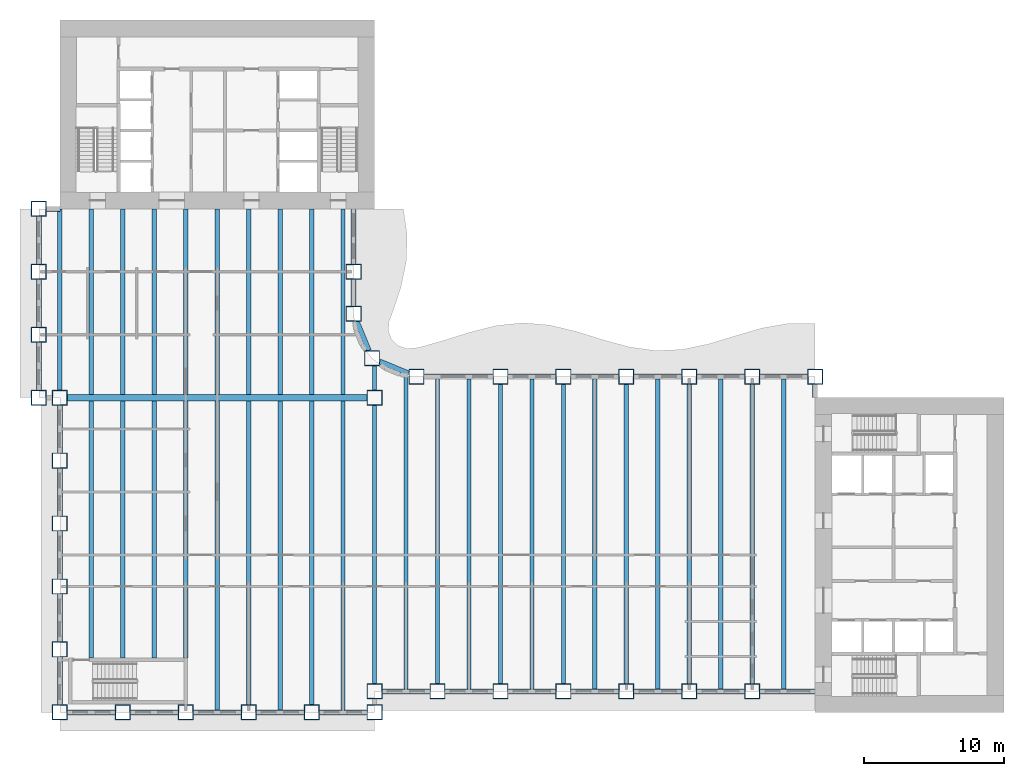
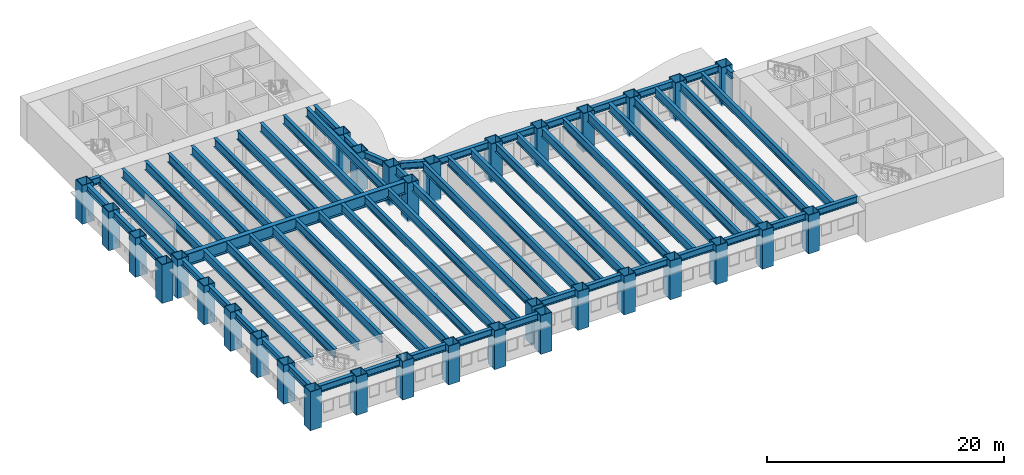
# One storey, part 1 of 15: 67 beams, 33 columns.
"""IFC4 building model written with IfcOpenShell, lengths in metres."""

import ifcopenshell
import ifcopenshell.guid

model = None  # the IFC model being written
_history = None  # IfcOwnerHistory: only IFC2X3 demands one
_inside = {}  # id of a spatial element -> (the spatial element, [elements in it])
_under = {}  # id of a project, library or spatial element -> (it, [spatial elements below it])
_declared = {}  # id of a project -> (the project, [libraries it declares])
_typed = {}  # id of a type object -> (the type object, [elements of that type])
_made_of = {}  # id of a material, layer set ... -> (it, [elements and type objects made of it])


def new_model(schema):
    """Start an empty IFC model of exactly this schema.

    Asked for "IFC4X3", IfcOpenShell would pick the latest addendum, in which some entities
    have other attributes; the version numbers below select the first issue.
    IFC2X3 requires an IfcOwnerHistory on every rooted entity: one is made here for all.
    """
    global model, _history
    if schema == "IFC4X3":
        model = ifcopenshell.file(schema_version=(4, 3, 0, 0))
    else:
        model = ifcopenshell.file(schema=schema)
    _inside.clear()
    _under.clear()
    _declared.clear()
    _typed.clear()
    _made_of.clear()
    _history = None
    if model.schema == "IFC2X3":
        org = make("IfcOrganization", Name="unknown")
        user = make(
            "IfcPersonAndOrganization",
            ThePerson=make("IfcPerson", FamilyName="unknown"),
            TheOrganization=org,
        )
        app = make(
            "IfcApplication",
            ApplicationDeveloper=org,
            Version="unknown",
            ApplicationFullName="unknown",
            ApplicationIdentifier="unknown",
        )
        _history = make(
            "IfcOwnerHistory",
            OwningUser=user,
            OwningApplication=app,
            ChangeAction="ADDED",
            CreationDate=0,
        )
    return model


def make(cls, **values):
    """One entity of the class cls with the attributes given. An attribute that is None is left unset."""
    return model.create_entity(
        cls, **{name: value for name, value in values.items() if value is not None}
    )


def rooted(cls, **values):
    """An entity with a GlobalId (a new one), such as an element, a storey or a relation."""
    return make(cls, GlobalId=ifcopenshell.guid.new(), OwnerHistory=_history, **values)


def si_unit(unit_type, name, prefix=None):
    """IfcSIUnit, for example si_unit("LENGTHUNIT", "METRE", prefix="MILLI")."""
    return make("IfcSIUnit", UnitType=unit_type, Prefix=prefix, Name=name)


def assignment(units):
    """IfcUnitAssignment: the units of a project."""
    return None if units is None else make("IfcUnitAssignment", Units=units)


def point(xyz):
    """IfcCartesianPoint."""
    return None if xyz is None else make("IfcCartesianPoint", Coordinates=xyz)


def direction(xyz):
    """IfcDirection."""
    return None if xyz is None else make("IfcDirection", DirectionRatios=xyz)


def frame(location, z_axis=None, x_axis=None):
    """IfcAxis2Placement3D, a coordinate frame: its origin and axes. An axis left out is left unset."""
    return make(
        "IfcAxis2Placement3D",
        Location=point(location),
        Axis=direction(z_axis),
        RefDirection=direction(x_axis),
    )


def frame_2d(location, x_axis=None):
    """IfcAxis2Placement2D, a coordinate frame in the plane: its origin and x axis."""
    return make(
        "IfcAxis2Placement2D", Location=point(location), RefDirection=direction(x_axis)
    )


def origin():
    """The frame at (0, 0, 0) with its axes left unset."""
    return frame((0.0, 0.0, 0.0))


def origin_2d():
    """The frame at (0, 0) in the plane with its x axis left unset."""
    return frame_2d((0.0, 0.0))


def place(relative_to, where):
    """IfcLocalPlacement: puts the frame where relative to a parent placement (None: the world)."""
    return make(
        "IfcLocalPlacement", PlacementRelTo=relative_to, RelativePlacement=where
    )


def context(
    kind, dimensions, precision=None, world=None, true_north=None, identifier=None
):
    """IfcGeometricRepresentationContext, for example the 3D "Model" context."""
    return make(
        "IfcGeometricRepresentationContext",
        ContextIdentifier=identifier,
        ContextType=kind,
        CoordinateSpaceDimension=dimensions,
        Precision=precision,
        WorldCoordinateSystem=world,
        TrueNorth=true_north,
    )


def subcontext(parent, identifier, kind, view, scale=None):
    """IfcGeometricRepresentationSubContext, for example "Body" below "Model"."""
    return make(
        "IfcGeometricRepresentationSubContext",
        ContextIdentifier=identifier,
        ContextType=kind,
        ParentContext=parent,
        TargetScale=scale,
        TargetView=view,
    )


def project(units=None, contexts=None):
    """IfcProject with its units and contexts."""
    return rooted(
        "IfcProject",
        Name="project",
        RepresentationContexts=contexts,
        UnitsInContext=assignment(units),
    )


def spatial(cls, under=None, at=None, **own):
    """A site, building, storey or space (cls), placed at a placement, below another one or the project."""
    s = rooted(cls, ObjectPlacement=at, **own)
    if under is not None:
        _under.setdefault(under.id(), (under, []))[1].append(s)
    return s


def profile(cls, at=None, kind="AREA", **sizes):
    """A parametric profile (cls). Its sizes go by their IFC names, for example OverallWidth=200.0."""
    return make(cls, ProfileType=kind, Position=at, **sizes)


def hollow_rectangle(**sizes):
    """IfcRectangleHollowProfileDef."""
    return profile("IfcRectangleHollowProfileDef", **sizes)


def i_section(**sizes):
    """IfcIShapeProfileDef."""
    return profile("IfcIShapeProfileDef", **sizes)


def extrude(swept, where, along, depth):
    """IfcExtrudedAreaSolid: the profile swept, set in the frame where, extruded along a direction by depth."""
    return make(
        "IfcExtrudedAreaSolid",
        SweptArea=swept,
        Position=where,
        ExtrudedDirection=direction(along),
        Depth=depth,
    )


def shape(context_of_items, identifier, shape_type, items):
    """IfcShapeRepresentation: the items that make up one representation, for example the "Body"."""
    return make(
        "IfcShapeRepresentation",
        ContextOfItems=context_of_items,
        RepresentationIdentifier=identifier,
        RepresentationType=shape_type,
        Items=items,
    )


def material(Name=None, Category=None):
    """IfcMaterial."""
    return make("IfcMaterial", Name=Name, Category=Category)


def material_profile(
    of_material, cross_section, Name=None, Category=None, Priority=None
):
    """IfcMaterialProfile: a cross section and its material."""
    return make(
        "IfcMaterialProfile",
        Name=Name,
        Material=of_material,
        Profile=cross_section,
        Priority=Priority,
        Category=Category,
    )


def profile_set(profiles, Name=None, composite=None):
    """IfcMaterialProfileSet."""
    return make(
        "IfcMaterialProfileSet",
        Name=Name,
        MaterialProfiles=profiles,
        CompositeProfile=composite,
    )


def made_of(thing, what):
    """Note that an element or type object is made of a material, layer set ...; save() writes the relation."""
    if what is not None:
        _made_of.setdefault(what.id(), (what, []))[1].append(thing)
    return thing


def type_object(cls, material=None, **own):
    """A type object (cls), such as IfcWallType, which elements share."""
    return made_of(rooted(cls, **own), material)


def element(
    cls,
    number,
    at=None,
    inside=None,
    cuts=None,
    type_object=None,
    material=None,
    context=None,
    identifier="Body",
    shape_type=None,
    held_by="IfcProductDefinitionShape",
    body=None,
    shapes=None,
    **own,
):
    """One element of the class cls, such as IfcWall. Its Tag is "e" and its number.

    at: its placement. inside: the storey or other place that contains it. cuts: it is an
    opening in that element (IfcRelVoidsElement). A single representation is given by context,
    identifier, shape_type and body (its items); several are given by shapes. held_by: the class
    of the entity that holds the representations. save() writes the other relations.
    """
    e = rooted(cls, Tag="e%d" % number, ObjectPlacement=at, **own)
    if body is not None:
        shapes = [shape(context, identifier, shape_type, body)]
    if shapes is not None:
        e.Representation = make(held_by, Representations=shapes)
    if inside is not None:
        _inside.setdefault(inside.id(), (inside, []))[1].append(e)
    if cuts is not None:
        rooted(
            "IfcRelVoidsElement", RelatingBuildingElement=cuts, RelatedOpeningElement=e
        )
    if type_object is not None:
        _typed.setdefault(type_object.id(), (type_object, []))[1].append(e)
    return made_of(e, material)


def aggregate(whole, parts):
    """IfcRelAggregates: a whole, such as a stair, and the parts it consists of."""
    return rooted("IfcRelAggregates", RelatingObject=whole, RelatedObjects=parts)


def save(model, path):
    """Write the relations noted so far, then the file.

    IfcRelAggregates (storeys below a building ...), IfcRelContainedInSpatialStructure (elements
    in a storey), IfcRelDefinesByType, IfcRelAssociatesMaterial and IfcRelDeclares: one each for
    every whole, place, type object, material and project.
    """
    for whole, parts in _under.values():
        aggregate(whole, parts)
    for where, things in _inside.values():
        rooted(
            "IfcRelContainedInSpatialStructure",
            RelatedElements=things,
            RelatingStructure=where,
        )
    for kind, things in _typed.values():
        rooted("IfcRelDefinesByType", RelatedObjects=things, RelatingType=kind)
    for what, things in _made_of.values():
        rooted("IfcRelAssociatesMaterial", RelatedObjects=things, RelatingMaterial=what)
    for by, libraries in _declared.values():
        rooted("IfcRelDeclares", RelatingContext=by, RelatedDefinitions=libraries)
    model.write(path)


model = new_model("IFC4")

# Units and contexts
model_context = context("Model", 3, precision=1e-05, world=origin(), true_north=direction((0.0, 1.0)))
body_context = subcontext(model_context, "Body", "Model", "MODEL_VIEW")
ifc_project = project(units=[si_unit("LENGTHUNIT", "METRE"), si_unit("AREAUNIT", "SQUARE_METRE"), si_unit("VOLUMEUNIT", "CUBIC_METRE"), si_unit("PLANEANGLEUNIT", "RADIAN"), si_unit("MASSUNIT", "GRAM", prefix="KILO")], contexts=[model_context])

# Site, building, storey
site_placement = place(None, origin())
site = spatial("IfcSite", under=ifc_project, at=site_placement, CompositionType="ELEMENT")
building_placement = place(site_placement, origin())
building = spatial("IfcBuilding", under=site, at=building_placement, Name="Sennacour Bend Tower", CompositionType="ELEMENT")
storey_placement = place(building_placement, frame((0.0, 0.0, 33.0)))
storey = spatial("IfcBuildingStorey", under=building, at=storey_placement, Name="L06", CompositionType="ELEMENT", Elevation=33.0)

# Columns
ifc_material_1 = material(Name="Steel ASTM A572 Grade 50", Category="steel")
ifc_material_profile_1 = material_profile(ifc_material_1, hollow_rectangle(XDim=1.10009765625, YDim=1.10009765625, WallThickness=0.06005859375, at=origin_2d()), Name="Steel ASTM A572 Grade 50", Category="steel")
ifc_profile_set_1 = profile_set([ifc_material_profile_1], Name="Steel ASTM A572 Grade 50")
column_type = type_object("IfcColumnType", Name="Box column 1100", PredefinedType="COLUMN", material=ifc_profile_set_1)
for number, where, z_axis, x_axis, name in (
    (1, (-1.5, 22.5, -0.14990234375), (0.0, 0.0, 1.0), (1.0, 0.0, 0.0), "Perimeter column C1 L06-001"),
    (2, (-1.5, 27.0, -0.14990234375), (0.0, 0.0, 1.0), (1.0, 0.0, 0.0), "Perimeter column C1 L06-002"),
    (3, (-1.5, 31.5, -0.14990234375), (0.0, 0.0, 1.0), (1.0, 0.0, 0.0), "Perimeter column C1 L06-003"),
    (4, (-1.5, 36.0, -0.14990234375), (0.0, 0.0, 1.0), (1.0, 0.0, 0.0), "Perimeter column C1 L06-004"),
    (5, (0.0, 0.0, -0.14990234375), (0.0, 0.0, 1.0), (1.0, 0.0, 0.0), "Perimeter column C1 L06-005"),
    (6, (0.0, 4.5, -0.14990234375), (0.0, 0.0, 1.0), (1.0, 0.0, 0.0), "Perimeter column C1 L06-006"),
    (7, (0.0, 9.0, -0.14990234375), (0.0, 0.0, 1.0), (1.0, 0.0, 0.0), "Perimeter column C1 L06-007"),
    (8, (0.0, 13.5, -0.14990234375), (0.0, 0.0, 1.0), (1.0, 0.0, 0.0), "Perimeter column C1 L06-008"),
    (9, (0.0, 18.0, -0.14990234375), (0.0, 0.0, 1.0), (1.0, 0.0, 0.0), "Perimeter column C1 L06-009"),
    (10, (0.0, 22.5, -0.14990234375), (0.0, 0.0, 1.0), (1.0, 0.0, 0.0), "Perimeter column C1 L06-010"),
    (11, (4.5, 0.0, -0.14990234375), (0.0, 0.0, 1.0), (1.0, 0.0, 0.0), "Perimeter column C1 L06-011"),
    (12, (9.0, 0.0, -0.14990234375), (0.0, 0.0, 1.0), (1.0, 0.0, 0.0), "Perimeter column C1 L06-012"),
    (13, (13.5, 0.0, -0.14990234375), (0.0, 0.0, 1.0), (1.0, 0.0, 0.0), "Perimeter column C1 L06-013"),
    (14, (18.0, 0.0, -0.14990234375), (0.0, 0.0, 1.0), (1.0, 0.0, 0.0), "Perimeter column C1 L06-014"),
    (15, (21.0, 28.5, -0.14990234375), (0.0, 0.0, 1.0), (1.0, 0.0, 0.0), "Perimeter column C1 L06-015"),
    (16, (21.0, 31.5, -0.14990234375), (0.0, 0.0, 1.0), (1.0, 0.0, 0.0), "Perimeter column C1 L06-016"),
    (17, (22.318115234375, 25.318115234375, -0.14990234375), (0.0, 0.0, 1.0), (1.0, 0.0, 0.0), "Perimeter column C1 L06-017"),
    (18, (22.5, 0.0, -0.14990234375), (0.0, 0.0, 1.0), (1.0, 0.0, 0.0), "Perimeter column C1 L06-018"),
    (19, (22.5, 1.5, -0.14990234375), (0.0, 0.0, 1.0), (1.0, 0.0, 0.0), "Perimeter column C1 L06-019"),
    (20, (22.5, 22.5, -0.14990234375), (0.0, 0.0, 1.0), (1.0, 0.0, 0.0), "Knuckle column C1 L06-020"),
    (21, (25.5, 24.0, -0.14990234375), (0.0, 0.0, 1.0), (1.0, 0.0, 0.0), "Perimeter column C1 L06-021"),
    (22, (27.0, 1.5, -0.14990234375), (0.0, 0.0, 1.0), (1.0, 0.0, 0.0), "Perimeter column C1 L06-022"),
    (23, (31.5, 1.5, -0.14990234375), (0.0, 0.0, 1.0), (1.0, 0.0, 0.0), "Perimeter column C1 L06-023"),
    (24, (31.5, 24.0, -0.14990234375), (0.0, 0.0, 1.0), (1.0, 0.0, 0.0), "Perimeter column C1 L06-024"),
    (25, (36.0, 1.5, -0.14990234375), (0.0, 0.0, 1.0), (1.0, 0.0, 0.0), "Perimeter column C1 L06-025"),
    (26, (36.0, 24.0, -0.14990234375), (0.0, 0.0, 1.0), (1.0, 0.0, 0.0), "Perimeter column C1 L06-026"),
    (27, (40.5, 1.5, -0.14990234375), (0.0, 0.0, 1.0), (1.0, 0.0, 0.0), "Perimeter column C1 L06-027"),
    (28, (40.5, 24.0, -0.14990234375), (0.0, 0.0, 1.0), (1.0, 0.0, 0.0), "Perimeter column C1 L06-028"),
    (29, (45.0, 1.5, -0.14990234375), (0.0, 0.0, 1.0), (1.0, 0.0, 0.0), "Perimeter column C1 L06-029"),
    (30, (45.0, 24.0, -0.14990234375), (0.0, 0.0, 1.0), (1.0, 0.0, 0.0), "Perimeter column C1 L06-030"),
    (31, (49.5, 1.5, -0.14990234375), (0.0, 0.0, 1.0), (1.0, 0.0, 0.0), "Perimeter column C1 L06-031"),
    (32, (49.5, 24.0, -0.14990234375), (0.0, 0.0, 1.0), (1.0, 0.0, 0.0), "Perimeter column C1 L06-032"),
    (33, (54.0, 24.0, -0.14990234375), (0.0, 0.0, 1.0), (1.0, 0.0, 0.0), "Perimeter column C1 L06-033"),
):
    element("IfcColumn", number, at=place(storey_placement, frame(where, z_axis=z_axis, x_axis=x_axis)), inside=storey, type_object=column_type, Name=name, PredefinedType="COLUMN", context=body_context, shape_type="SweptSolid", body=[
        extrude(hollow_rectangle(XDim=1.10009765625, YDim=1.10009765625, WallThickness=0.06005859375, at=origin_2d()), origin(), (0.0, 0.0, 1.0), 4.0),
    ])

# Beams
ifc_material_2 = material(Name="Steel ASTM A992 Grade 50", Category="steel")
ifc_material_profile_2 = material_profile(ifc_material_2, i_section(OverallWidth=0.304931640625, OverallDepth=0.912109375, WebThickness=0.015869140625, FlangeThickness=0.02392578125, FilletRadius=0.01904296875, at=origin_2d()), Name="Steel ASTM A992 Grade 50", Category="steel")
ifc_profile_set_2 = profile_set([ifc_material_profile_2], Name="Steel ASTM A992 Grade 50")
beam_type_1 = type_object("IfcBeamType", Name="Floor beam W920X223", PredefinedType="BEAM", material=ifc_profile_set_2)
beam_1_placement = place(storey_placement, frame((0.0, 23.050048828125, 3.39404296875), z_axis=(0.0, 1.0, 0.0), x_axis=(-1.0, 0.0, 0.0)))
element("IfcBeam", 34, at=beam_1_placement, inside=storey, type_object=beam_type_1, Name="Floor beam FBM1 L07-001", PredefinedType="BEAM", context=body_context, shape_type="SweptSolid", body=[
    extrude(i_section(OverallWidth=0.304931640625, OverallDepth=0.912109375, WebThickness=0.015869140625, FlangeThickness=0.02392578125, FilletRadius=0.01904296875, at=origin_2d()), origin(), (0.0, 0.0, 1.0), 12.949951171875),
])
beam_2_placement = place(storey_placement, frame((2.25, 3.875, 3.39404296875), z_axis=(0.0, 1.0, 0.0), x_axis=(-1.0, 0.0, 0.0)))
element("IfcBeam", 35, at=beam_2_placement, inside=storey, type_object=beam_type_1, Name="Floor beam FBM1 L07-002", PredefinedType="BEAM", context=body_context, shape_type="SweptSolid", body=[
    extrude(i_section(OverallWidth=0.304931640625, OverallDepth=0.912109375, WebThickness=0.015869140625, FlangeThickness=0.02392578125, FilletRadius=0.01904296875, at=origin_2d()), origin(), (0.0, 0.0, 1.0), 18.39990234375),
])
beam_3_placement = place(storey_placement, frame((2.25, 22.72509765625, 3.39404296875), z_axis=(0.0, 1.0, 0.0), x_axis=(-1.0, 0.0, 0.0)))
element("IfcBeam", 36, at=beam_3_placement, inside=storey, type_object=beam_type_1, Name="Floor beam FBM1 L07-003", PredefinedType="BEAM", context=body_context, shape_type="SweptSolid", body=[
    extrude(i_section(OverallWidth=0.304931640625, OverallDepth=0.912109375, WebThickness=0.015869140625, FlangeThickness=0.02392578125, FilletRadius=0.01904296875, at=origin_2d()), origin(), (0.0, 0.0, 1.0), 13.27490234375),
])
beam_4_placement = place(storey_placement, frame((4.5, 3.875, 3.39404296875), z_axis=(0.0, 1.0, 0.0), x_axis=(-1.0, 0.0, 0.0)))
element("IfcBeam", 37, at=beam_4_placement, inside=storey, type_object=beam_type_1, Name="Floor beam FBM1 L07-004", PredefinedType="BEAM", context=body_context, shape_type="SweptSolid", body=[
    extrude(i_section(OverallWidth=0.304931640625, OverallDepth=0.912109375, WebThickness=0.015869140625, FlangeThickness=0.02392578125, FilletRadius=0.01904296875, at=origin_2d()), origin(), (0.0, 0.0, 1.0), 18.39990234375),
])
beam_5_placement = place(storey_placement, frame((4.5, 22.72509765625, 3.39404296875), z_axis=(0.0, 1.0, 0.0), x_axis=(-1.0, 0.0, 0.0)))
element("IfcBeam", 38, at=beam_5_placement, inside=storey, type_object=beam_type_1, Name="Floor beam FBM1 L07-005", PredefinedType="BEAM", context=body_context, shape_type="SweptSolid", body=[
    extrude(i_section(OverallWidth=0.304931640625, OverallDepth=0.912109375, WebThickness=0.015869140625, FlangeThickness=0.02392578125, FilletRadius=0.01904296875, at=origin_2d()), origin(), (0.0, 0.0, 1.0), 13.27490234375),
])
beam_6_placement = place(storey_placement, frame((6.75, 3.875, 3.39404296875), z_axis=(0.0, 1.0, 0.0), x_axis=(-1.0, 0.0, 0.0)))
element("IfcBeam", 39, at=beam_6_placement, inside=storey, type_object=beam_type_1, Name="Floor beam FBM1 L07-006", PredefinedType="BEAM", context=body_context, shape_type="SweptSolid", body=[
    extrude(i_section(OverallWidth=0.304931640625, OverallDepth=0.912109375, WebThickness=0.015869140625, FlangeThickness=0.02392578125, FilletRadius=0.01904296875, at=origin_2d()), origin(), (0.0, 0.0, 1.0), 18.39990234375),
])
beam_7_placement = place(storey_placement, frame((6.75, 22.72509765625, 3.39404296875), z_axis=(0.0, 1.0, 0.0), x_axis=(-1.0, 0.0, 0.0)))
element("IfcBeam", 40, at=beam_7_placement, inside=storey, type_object=beam_type_1, Name="Floor beam FBM1 L07-007", PredefinedType="BEAM", context=body_context, shape_type="SweptSolid", body=[
    extrude(i_section(OverallWidth=0.304931640625, OverallDepth=0.912109375, WebThickness=0.015869140625, FlangeThickness=0.02392578125, FilletRadius=0.01904296875, at=origin_2d()), origin(), (0.0, 0.0, 1.0), 13.27490234375),
])
beam_8_placement = place(storey_placement, frame((9.0, 3.875, 3.39404296875), z_axis=(0.0, 1.0, 0.0), x_axis=(-1.0, 0.0, 0.0)))
element("IfcBeam", 41, at=beam_8_placement, inside=storey, type_object=beam_type_1, Name="Floor beam FBM1 L07-008", PredefinedType="BEAM", context=body_context, shape_type="SweptSolid", body=[
    extrude(i_section(OverallWidth=0.304931640625, OverallDepth=0.912109375, WebThickness=0.015869140625, FlangeThickness=0.02392578125, FilletRadius=0.01904296875, at=origin_2d()), origin(), (0.0, 0.0, 1.0), 18.39990234375),
])
beam_9_placement = place(storey_placement, frame((9.0, 22.72509765625, 3.39404296875), z_axis=(0.0, 1.0, 0.0), x_axis=(-1.0, 0.0, 0.0)))
element("IfcBeam", 42, at=beam_9_placement, inside=storey, type_object=beam_type_1, Name="Floor beam FBM1 L07-009", PredefinedType="BEAM", context=body_context, shape_type="SweptSolid", body=[
    extrude(i_section(OverallWidth=0.304931640625, OverallDepth=0.912109375, WebThickness=0.015869140625, FlangeThickness=0.02392578125, FilletRadius=0.01904296875, at=origin_2d()), origin(), (0.0, 0.0, 1.0), 13.27490234375),
])
beam_10_placement = place(storey_placement, frame((11.25, 0.178955078125, 3.39404296875), z_axis=(0.0, 1.0, 0.0), x_axis=(-1.0, 0.0, 0.0)))
element("IfcBeam", 43, at=beam_10_placement, inside=storey, type_object=beam_type_1, Name="Floor beam FBM1 L07-010", PredefinedType="BEAM", context=body_context, shape_type="SweptSolid", body=[
    extrude(i_section(OverallWidth=0.304931640625, OverallDepth=0.912109375, WebThickness=0.015869140625, FlangeThickness=0.02392578125, FilletRadius=0.01904296875, at=origin_2d()), origin(), (0.0, 0.0, 1.0), 22.095947265625),
])
beam_11_placement = place(storey_placement, frame((11.25, 22.72509765625, 3.39404296875), z_axis=(0.0, 1.0, 0.0), x_axis=(-1.0, 0.0, 0.0)))
element("IfcBeam", 44, at=beam_11_placement, inside=storey, type_object=beam_type_1, Name="Floor beam FBM1 L07-011", PredefinedType="BEAM", context=body_context, shape_type="SweptSolid", body=[
    extrude(i_section(OverallWidth=0.304931640625, OverallDepth=0.912109375, WebThickness=0.015869140625, FlangeThickness=0.02392578125, FilletRadius=0.01904296875, at=origin_2d()), origin(), (0.0, 0.0, 1.0), 13.27490234375),
])
beam_12_placement = place(storey_placement, frame((13.5, 0.550048828125, 3.39404296875), z_axis=(0.0, 1.0, 0.0), x_axis=(-1.0, 0.0, 0.0)))
element("IfcBeam", 45, at=beam_12_placement, inside=storey, type_object=beam_type_1, Name="Floor beam FBM1 L07-012", PredefinedType="BEAM", context=body_context, shape_type="SweptSolid", body=[
    extrude(i_section(OverallWidth=0.304931640625, OverallDepth=0.912109375, WebThickness=0.015869140625, FlangeThickness=0.02392578125, FilletRadius=0.01904296875, at=origin_2d()), origin(), (0.0, 0.0, 1.0), 21.724853515625),
])
beam_13_placement = place(storey_placement, frame((13.5, 22.72509765625, 3.39404296875), z_axis=(0.0, 1.0, 0.0), x_axis=(-1.0, 0.0, 0.0)))
element("IfcBeam", 46, at=beam_13_placement, inside=storey, type_object=beam_type_1, Name="Floor beam FBM1 L07-013", PredefinedType="BEAM", context=body_context, shape_type="SweptSolid", body=[
    extrude(i_section(OverallWidth=0.304931640625, OverallDepth=0.912109375, WebThickness=0.015869140625, FlangeThickness=0.02392578125, FilletRadius=0.01904296875, at=origin_2d()), origin(), (0.0, 0.0, 1.0), 13.27490234375),
])
beam_14_placement = place(storey_placement, frame((15.75, 0.178955078125, 3.39404296875), z_axis=(0.0, 1.0, 0.0), x_axis=(-1.0, 0.0, 0.0)))
element("IfcBeam", 47, at=beam_14_placement, inside=storey, type_object=beam_type_1, Name="Floor beam FBM1 L07-014", PredefinedType="BEAM", context=body_context, shape_type="SweptSolid", body=[
    extrude(i_section(OverallWidth=0.304931640625, OverallDepth=0.912109375, WebThickness=0.015869140625, FlangeThickness=0.02392578125, FilletRadius=0.01904296875, at=origin_2d()), origin(), (0.0, 0.0, 1.0), 22.095947265625),
])
beam_15_placement = place(storey_placement, frame((15.75, 22.72509765625, 3.39404296875), z_axis=(0.0, 1.0, 0.0), x_axis=(-1.0, 0.0, 0.0)))
element("IfcBeam", 48, at=beam_15_placement, inside=storey, type_object=beam_type_1, Name="Floor beam FBM1 L07-015", PredefinedType="BEAM", context=body_context, shape_type="SweptSolid", body=[
    extrude(i_section(OverallWidth=0.304931640625, OverallDepth=0.912109375, WebThickness=0.015869140625, FlangeThickness=0.02392578125, FilletRadius=0.01904296875, at=origin_2d()), origin(), (0.0, 0.0, 1.0), 13.27490234375),
])
beam_16_placement = place(storey_placement, frame((18.0, 0.550048828125, 3.39404296875), z_axis=(0.0, 1.0, 0.0), x_axis=(-1.0, 0.0, 0.0)))
element("IfcBeam", 49, at=beam_16_placement, inside=storey, type_object=beam_type_1, Name="Floor beam FBM1 L07-016", PredefinedType="BEAM", context=body_context, shape_type="SweptSolid", body=[
    extrude(i_section(OverallWidth=0.304931640625, OverallDepth=0.912109375, WebThickness=0.015869140625, FlangeThickness=0.02392578125, FilletRadius=0.01904296875, at=origin_2d()), origin(), (0.0, 0.0, 1.0), 21.724853515625),
])
beam_17_placement = place(storey_placement, frame((18.0, 22.72509765625, 3.39404296875), z_axis=(0.0, 1.0, 0.0), x_axis=(-1.0, 0.0, 0.0)))
element("IfcBeam", 50, at=beam_17_placement, inside=storey, type_object=beam_type_1, Name="Floor beam FBM1 L07-017", PredefinedType="BEAM", context=body_context, shape_type="SweptSolid", body=[
    extrude(i_section(OverallWidth=0.304931640625, OverallDepth=0.912109375, WebThickness=0.015869140625, FlangeThickness=0.02392578125, FilletRadius=0.01904296875, at=origin_2d()), origin(), (0.0, 0.0, 1.0), 13.27490234375),
])
beam_18_placement = place(storey_placement, frame((20.25, 0.178955078125, 3.39404296875), z_axis=(0.0, 1.0, 0.0), x_axis=(-1.0, 0.0, 0.0)))
element("IfcBeam", 51, at=beam_18_placement, inside=storey, type_object=beam_type_1, Name="Floor beam FBM1 L07-018", PredefinedType="BEAM", context=body_context, shape_type="SweptSolid", body=[
    extrude(i_section(OverallWidth=0.304931640625, OverallDepth=0.912109375, WebThickness=0.015869140625, FlangeThickness=0.02392578125, FilletRadius=0.01904296875, at=origin_2d()), origin(), (0.0, 0.0, 1.0), 22.095947265625),
])
beam_19_placement = place(storey_placement, frame((20.25, 22.72509765625, 3.39404296875), z_axis=(0.0, 1.0, 0.0), x_axis=(-1.0, 0.0, 0.0)))
element("IfcBeam", 52, at=beam_19_placement, inside=storey, type_object=beam_type_1, Name="Floor beam FBM1 L07-019", PredefinedType="BEAM", context=body_context, shape_type="SweptSolid", body=[
    extrude(i_section(OverallWidth=0.304931640625, OverallDepth=0.912109375, WebThickness=0.015869140625, FlangeThickness=0.02392578125, FilletRadius=0.01904296875, at=origin_2d()), origin(), (0.0, 0.0, 1.0), 13.27490234375),
])
beam_20_placement = place(storey_placement, frame((22.5, 2.050048828125, 3.39404296875), z_axis=(0.0, 1.0, 0.0), x_axis=(-1.0, 0.0, 0.0)))
element("IfcBeam", 53, at=beam_20_placement, inside=storey, type_object=beam_type_1, Name="Floor beam FBM1 L07-020", PredefinedType="BEAM", context=body_context, shape_type="SweptSolid", body=[
    extrude(i_section(OverallWidth=0.304931640625, OverallDepth=0.912109375, WebThickness=0.015869140625, FlangeThickness=0.02392578125, FilletRadius=0.01904296875, at=origin_2d()), origin(), (0.0, 0.0, 1.0), 19.89990234375),
])
beam_21_placement = place(storey_placement, frame((22.5, 23.050048828125, 3.39404296875), z_axis=(0.0, 1.0, 0.0), x_axis=(-1.0, 0.0, 0.0)))
element("IfcBeam", 54, at=beam_21_placement, inside=storey, type_object=beam_type_1, Name="Floor beam FBM1 L07-021", PredefinedType="BEAM", context=body_context, shape_type="SweptSolid", body=[
    extrude(i_section(OverallWidth=0.304931640625, OverallDepth=0.912109375, WebThickness=0.015869140625, FlangeThickness=0.02392578125, FilletRadius=0.01904296875, at=origin_2d()), origin(), (0.0, 0.0, 1.0), 1.718017578125),
])
beam_22_placement = place(storey_placement, frame((24.75, 1.678955078125, 3.39404296875), z_axis=(0.0, 1.0, 0.0), x_axis=(-1.0, 0.0, 0.0)))
element("IfcBeam", 55, at=beam_22_placement, inside=storey, type_object=beam_type_1, Name="Floor beam FBM1 L07-022", PredefinedType="BEAM", context=body_context, shape_type="SweptSolid", body=[
    extrude(i_section(OverallWidth=0.304931640625, OverallDepth=0.912109375, WebThickness=0.015869140625, FlangeThickness=0.02392578125, FilletRadius=0.01904296875, at=origin_2d()), origin(), (0.0, 0.0, 1.0), 22.43798828125),
])
beam_23_placement = place(storey_placement, frame((27.0, 2.050048828125, 3.39404296875), z_axis=(0.0, 1.0, 0.0), x_axis=(-1.0, 0.0, 0.0)))
element("IfcBeam", 56, at=beam_23_placement, inside=storey, type_object=beam_type_1, Name="Floor beam FBM1 L07-023", PredefinedType="BEAM", context=body_context, shape_type="SweptSolid", body=[
    extrude(i_section(OverallWidth=0.304931640625, OverallDepth=0.912109375, WebThickness=0.015869140625, FlangeThickness=0.02392578125, FilletRadius=0.01904296875, at=origin_2d()), origin(), (0.0, 0.0, 1.0), 21.77099609375),
])
beam_24_placement = place(storey_placement, frame((29.25, 1.678955078125, 3.39404296875), z_axis=(0.0, 1.0, 0.0), x_axis=(-1.0, 0.0, 0.0)))
element("IfcBeam", 57, at=beam_24_placement, inside=storey, type_object=beam_type_1, Name="Floor beam FBM1 L07-024", PredefinedType="BEAM", context=body_context, shape_type="SweptSolid", body=[
    extrude(i_section(OverallWidth=0.304931640625, OverallDepth=0.912109375, WebThickness=0.015869140625, FlangeThickness=0.02392578125, FilletRadius=0.01904296875, at=origin_2d()), origin(), (0.0, 0.0, 1.0), 22.14208984375),
])
beam_25_placement = place(storey_placement, frame((31.5, 2.050048828125, 3.39404296875), z_axis=(0.0, 1.0, 0.0), x_axis=(-1.0, 0.0, 0.0)))
element("IfcBeam", 58, at=beam_25_placement, inside=storey, type_object=beam_type_1, Name="Floor beam FBM1 L07-025", PredefinedType="BEAM", context=body_context, shape_type="SweptSolid", body=[
    extrude(i_section(OverallWidth=0.304931640625, OverallDepth=0.912109375, WebThickness=0.015869140625, FlangeThickness=0.02392578125, FilletRadius=0.01904296875, at=origin_2d()), origin(), (0.0, 0.0, 1.0), 21.39990234375),
])
beam_26_placement = place(storey_placement, frame((33.75, 1.678955078125, 3.39404296875), z_axis=(0.0, 1.0, 0.0), x_axis=(-1.0, 0.0, 0.0)))
element("IfcBeam", 59, at=beam_26_placement, inside=storey, type_object=beam_type_1, Name="Floor beam FBM1 L07-026", PredefinedType="BEAM", context=body_context, shape_type="SweptSolid", body=[
    extrude(i_section(OverallWidth=0.304931640625, OverallDepth=0.912109375, WebThickness=0.015869140625, FlangeThickness=0.02392578125, FilletRadius=0.01904296875, at=origin_2d()), origin(), (0.0, 0.0, 1.0), 22.14208984375),
])
beam_27_placement = place(storey_placement, frame((36.0, 2.050048828125, 3.39404296875), z_axis=(0.0, 1.0, 0.0), x_axis=(-1.0, 0.0, 0.0)))
element("IfcBeam", 60, at=beam_27_placement, inside=storey, type_object=beam_type_1, Name="Floor beam FBM1 L07-027", PredefinedType="BEAM", context=body_context, shape_type="SweptSolid", body=[
    extrude(i_section(OverallWidth=0.304931640625, OverallDepth=0.912109375, WebThickness=0.015869140625, FlangeThickness=0.02392578125, FilletRadius=0.01904296875, at=origin_2d()), origin(), (0.0, 0.0, 1.0), 21.39990234375),
])
beam_28_placement = place(storey_placement, frame((38.25, 1.678955078125, 3.39404296875), z_axis=(0.0, 1.0, 0.0), x_axis=(-1.0, 0.0, 0.0)))
element("IfcBeam", 61, at=beam_28_placement, inside=storey, type_object=beam_type_1, Name="Floor beam FBM1 L07-028", PredefinedType="BEAM", context=body_context, shape_type="SweptSolid", body=[
    extrude(i_section(OverallWidth=0.304931640625, OverallDepth=0.912109375, WebThickness=0.015869140625, FlangeThickness=0.02392578125, FilletRadius=0.01904296875, at=origin_2d()), origin(), (0.0, 0.0, 1.0), 22.14208984375),
])
beam_29_placement = place(storey_placement, frame((40.5, 2.050048828125, 3.39404296875), z_axis=(0.0, 1.0, 0.0), x_axis=(-1.0, 0.0, 0.0)))
element("IfcBeam", 62, at=beam_29_placement, inside=storey, type_object=beam_type_1, Name="Floor beam FBM1 L07-029", PredefinedType="BEAM", context=body_context, shape_type="SweptSolid", body=[
    extrude(i_section(OverallWidth=0.304931640625, OverallDepth=0.912109375, WebThickness=0.015869140625, FlangeThickness=0.02392578125, FilletRadius=0.01904296875, at=origin_2d()), origin(), (0.0, 0.0, 1.0), 21.39990234375),
])
beam_30_placement = place(storey_placement, frame((42.75, 1.678955078125, 3.39404296875), z_axis=(0.0, 1.0, 0.0), x_axis=(-1.0, 0.0, 0.0)))
element("IfcBeam", 63, at=beam_30_placement, inside=storey, type_object=beam_type_1, Name="Floor beam FBM1 L07-030", PredefinedType="BEAM", context=body_context, shape_type="SweptSolid", body=[
    extrude(i_section(OverallWidth=0.304931640625, OverallDepth=0.912109375, WebThickness=0.015869140625, FlangeThickness=0.02392578125, FilletRadius=0.01904296875, at=origin_2d()), origin(), (0.0, 0.0, 1.0), 22.14208984375),
])
beam_31_placement = place(storey_placement, frame((45.0, 2.050048828125, 3.39404296875), z_axis=(0.0, 1.0, 0.0), x_axis=(-1.0, 0.0, 0.0)))
element("IfcBeam", 64, at=beam_31_placement, inside=storey, type_object=beam_type_1, Name="Floor beam FBM1 L07-031", PredefinedType="BEAM", context=body_context, shape_type="SweptSolid", body=[
    extrude(i_section(OverallWidth=0.304931640625, OverallDepth=0.912109375, WebThickness=0.015869140625, FlangeThickness=0.02392578125, FilletRadius=0.01904296875, at=origin_2d()), origin(), (0.0, 0.0, 1.0), 21.39990234375),
])
beam_32_placement = place(storey_placement, frame((47.25, 1.678955078125, 3.39404296875), z_axis=(0.0, 1.0, 0.0), x_axis=(-1.0, 0.0, 0.0)))
element("IfcBeam", 65, at=beam_32_placement, inside=storey, type_object=beam_type_1, Name="Floor beam FBM1 L07-032", PredefinedType="BEAM", context=body_context, shape_type="SweptSolid", body=[
    extrude(i_section(OverallWidth=0.304931640625, OverallDepth=0.912109375, WebThickness=0.015869140625, FlangeThickness=0.02392578125, FilletRadius=0.01904296875, at=origin_2d()), origin(), (0.0, 0.0, 1.0), 22.14208984375),
])
beam_33_placement = place(storey_placement, frame((49.5, 2.050048828125, 3.39404296875), z_axis=(0.0, 1.0, 0.0), x_axis=(-1.0, 0.0, 0.0)))
element("IfcBeam", 66, at=beam_33_placement, inside=storey, type_object=beam_type_1, Name="Floor beam FBM1 L07-033", PredefinedType="BEAM", context=body_context, shape_type="SweptSolid", body=[
    extrude(i_section(OverallWidth=0.304931640625, OverallDepth=0.912109375, WebThickness=0.015869140625, FlangeThickness=0.02392578125, FilletRadius=0.01904296875, at=origin_2d()), origin(), (0.0, 0.0, 1.0), 21.39990234375),
])
beam_34_placement = place(storey_placement, frame((51.75, 1.678955078125, 3.39404296875), z_axis=(0.0, 1.0, 0.0), x_axis=(-1.0, 0.0, 0.0)))
element("IfcBeam", 67, at=beam_34_placement, inside=storey, type_object=beam_type_1, Name="Floor beam FBM1 L07-034", PredefinedType="BEAM", context=body_context, shape_type="SweptSolid", body=[
    extrude(i_section(OverallWidth=0.304931640625, OverallDepth=0.912109375, WebThickness=0.015869140625, FlangeThickness=0.02392578125, FilletRadius=0.01904296875, at=origin_2d()), origin(), (0.0, 0.0, 1.0), 22.14208984375),
])
ifc_material_profile_3 = material_profile(ifc_material_1, i_section(OverallWidth=0.449951171875, OverallDepth=1.25, WebThickness=0.028076171875, FlangeThickness=0.050048828125, at=origin_2d()), Name="Steel ASTM A572 Grade 50", Category="steel")
ifc_profile_set_3 = profile_set([ifc_material_profile_3], Name="Steel ASTM A572 Grade 50")
beam_type_2 = type_object("IfcBeamType", Name="Knuckle girder 1250", PredefinedType="USERDEFINED", material=ifc_profile_set_3)
beam_35_placement = place(storey_placement, frame((0.550048828125, 22.5, 3.22509765625), z_axis=(1.0, 0.0, 0.0), x_axis=(0.0, 1.0, 0.0)))
element("IfcBeam", 68, at=beam_35_placement, inside=storey, type_object=beam_type_2, Name="Knuckle girder GK L07-001", ObjectType="KNUCKLE GIRDER", PredefinedType="USERDEFINED", context=body_context, shape_type="SweptSolid", body=[
    extrude(i_section(OverallWidth=0.449951171875, OverallDepth=1.25, WebThickness=0.028076171875, FlangeThickness=0.050048828125, at=origin_2d()), origin(), (0.0, 0.0, 1.0), 21.39990234375),
])
ifc_material_profile_4 = material_profile(ifc_material_2, i_section(OverallWidth=0.35791015625, OverallDepth=0.7060546875, WebThickness=0.018310546875, FlangeThickness=0.0302734375, FilletRadius=0.02001953125, at=origin_2d()), Name="Steel ASTM A992 Grade 50", Category="steel")
ifc_profile_set_4 = profile_set([ifc_material_profile_4], Name="Steel ASTM A992 Grade 50")
beam_type_3 = type_object("IfcBeamType", Name="Spandrel beam W690X265", PredefinedType="SPANDREL", material=ifc_profile_set_4)
for number, where, z_axis, x_axis, name in (
    (69, (0.0, 0.550048828125, 3.4970703125), (0.0, 1.0, 0.0), (-1.0, 0.0, 0.0), "Spandrel beam SP2 L07-001"),
    (70, (0.0, 5.050048828125, 3.4970703125), (0.0, 1.0, 0.0), (-1.0, 0.0, 0.0), "Spandrel beam SP2 L07-002"),
    (71, (0.0, 9.550048828125, 3.4970703125), (0.0, 1.0, 0.0), (-1.0, 0.0, 0.0), "Spandrel beam SP2 L07-003"),
    (72, (0.0, 14.050048828125, 3.4970703125), (0.0, 1.0, 0.0), (-1.0, 0.0, 0.0), "Spandrel beam SP2 L07-004"),
    (73, (0.0, 18.550048828125, 3.4970703125), (0.0, 1.0, 0.0), (-1.0, 0.0, 0.0), "Spandrel beam SP2 L07-005"),
    (74, (-1.5, 23.050048828125, 3.4970703125), (0.0, 1.0, 0.0), (-1.0, 0.0, 0.0), "Spandrel beam SP2 L07-006"),
    (75, (-1.5, 27.550048828125, 3.4970703125), (0.0, 1.0, 0.0), (-1.0, 0.0, 0.0), "Spandrel beam SP2 L07-007"),
    (76, (-1.5, 32.050048828125, 3.4970703125), (0.0, 1.0, 0.0), (-1.0, 0.0, 0.0), "Spandrel beam SP2 L07-008"),
):
    element("IfcBeam", number, at=place(storey_placement, frame(where, z_axis=z_axis, x_axis=x_axis)), inside=storey, type_object=beam_type_3, Name=name, PredefinedType="SPANDREL", context=body_context, shape_type="SweptSolid", body=[
        extrude(i_section(OverallWidth=0.35791015625, OverallDepth=0.7060546875, WebThickness=0.018310546875, FlangeThickness=0.0302734375, FilletRadius=0.02001953125, at=origin_2d()), origin(), (0.0, 0.0, 1.0), 3.39990234375),
    ])
beam_36_placement = place(storey_placement, frame((-0.949951171875, 36.0, 3.4970703125), z_axis=(1.0, 0.0, 0.0), x_axis=(0.0, 1.0, 0.0)))
element("IfcBeam", 77, at=beam_36_placement, inside=storey, type_object=beam_type_3, Name="Spandrel beam SP2 L07-009", PredefinedType="SPANDREL", context=body_context, shape_type="SweptSolid", body=[
    extrude(i_section(OverallWidth=0.35791015625, OverallDepth=0.7060546875, WebThickness=0.018310546875, FlangeThickness=0.0302734375, FilletRadius=0.02001953125, at=origin_2d()), origin(), (0.0, 0.0, 1.0), 0.949951171875),
])
beam_37_placement = place(storey_placement, frame((21.0, 36.0, 3.4970703125), z_axis=(0.0, -1.0, 0.0), x_axis=(1.0, 0.0, 0.0)))
element("IfcBeam", 78, at=beam_37_placement, inside=storey, type_object=beam_type_3, Name="Spandrel beam SP2 L07-010", PredefinedType="SPANDREL", context=body_context, shape_type="SweptSolid", body=[
    extrude(i_section(OverallWidth=0.35791015625, OverallDepth=0.7060546875, WebThickness=0.018310546875, FlangeThickness=0.0302734375, FilletRadius=0.02001953125, at=origin_2d()), origin(), (0.0, 0.0, 1.0), 3.949951171875),
])
beam_38_placement = place(storey_placement, frame((21.0, 30.949951171875, 3.4970703125), z_axis=(0.0, -1.0, 0.0), x_axis=(1.0, 0.0, 0.0)))
element("IfcBeam", 79, at=beam_38_placement, inside=storey, type_object=beam_type_3, Name="Spandrel beam SP2 L07-011", PredefinedType="SPANDREL", context=body_context, shape_type="SweptSolid", body=[
    extrude(i_section(OverallWidth=0.35791015625, OverallDepth=0.7060546875, WebThickness=0.018310546875, FlangeThickness=0.0302734375, FilletRadius=0.02001953125, at=origin_2d()), origin(), (0.0, 0.0, 1.0), 1.89990234375),
])
for number, where, z_axis, x_axis, name in (
    (80, (21.227783203125, 27.949951171875, 3.4970703125), (0.382645217415, -0.923895360736, 0.0), (0.923895360736, 0.382645217415, 0.0), "Spandrel beam SP2 L07-012"),
    (81, (22.867919921875, 25.090087890625, 3.4970703125), (0.923895360736, -0.382645217415, 0.0), (0.382645217415, 0.923895360736, 0.0), "Spandrel beam SP2 L07-013"),
):
    element("IfcBeam", number, at=place(storey_placement, frame(where, z_axis=z_axis, x_axis=x_axis)), inside=storey, type_object=beam_type_3, Name=name, PredefinedType="SPANDREL", context=body_context, shape_type="SweptSolid", body=[
        extrude(i_section(OverallWidth=0.35791015625, OverallDepth=0.7060546875, WebThickness=0.018310546875, FlangeThickness=0.0302734375, FilletRadius=0.02001953125, at=origin_2d()), origin(), (0.0, 0.0, 1.0), 2.25341796875),
    ])
beam_39_placement = place(storey_placement, frame((26.050048828125, 24.0, 3.4970703125), z_axis=(1.0, 0.0, 0.0), x_axis=(0.0, 1.0, 0.0)))
element("IfcBeam", 82, at=beam_39_placement, inside=storey, type_object=beam_type_3, Name="Spandrel beam SP2 L07-014", PredefinedType="SPANDREL", context=body_context, shape_type="SweptSolid", body=[
    extrude(i_section(OverallWidth=0.35791015625, OverallDepth=0.7060546875, WebThickness=0.018310546875, FlangeThickness=0.0302734375, FilletRadius=0.02001953125, at=origin_2d()), origin(), (0.0, 0.0, 1.0), 4.89990234375),
])
for number, where, z_axis, x_axis, name in (
    (83, (32.050048828125, 24.0, 3.4970703125), (1.0, 0.0, 0.0), (0.0, 1.0, 0.0), "Spandrel beam SP2 L07-015"),
    (84, (36.550048828125, 24.0, 3.4970703125), (1.0, 0.0, 0.0), (0.0, 1.0, 0.0), "Spandrel beam SP2 L07-016"),
    (85, (41.050048828125, 24.0, 3.4970703125), (1.0, 0.0, 0.0), (0.0, 1.0, 0.0), "Spandrel beam SP2 L07-017"),
    (86, (45.550048828125, 24.0, 3.4970703125), (1.0, 0.0, 0.0), (0.0, 1.0, 0.0), "Spandrel beam SP2 L07-018"),
    (87, (50.050048828125, 24.0, 3.4970703125), (1.0, 0.0, 0.0), (0.0, 1.0, 0.0), "Spandrel beam SP2 L07-019"),
):
    element("IfcBeam", number, at=place(storey_placement, frame(where, z_axis=z_axis, x_axis=x_axis)), inside=storey, type_object=beam_type_3, Name=name, PredefinedType="SPANDREL", context=body_context, shape_type="SweptSolid", body=[
        extrude(i_section(OverallWidth=0.35791015625, OverallDepth=0.7060546875, WebThickness=0.018310546875, FlangeThickness=0.0302734375, FilletRadius=0.02001953125, at=origin_2d()), origin(), (0.0, 0.0, 1.0), 3.39990234375),
    ])
beam_40_placement = place(storey_placement, frame((54.0, 23.449951171875, 3.4970703125), z_axis=(0.0, -1.0, 0.0), x_axis=(1.0, 0.0, 0.0)))
element("IfcBeam", 88, at=beam_40_placement, inside=storey, type_object=beam_type_3, Name="Spandrel beam SP2 L07-020", PredefinedType="SPANDREL", context=body_context, shape_type="SweptSolid", body=[
    extrude(i_section(OverallWidth=0.35791015625, OverallDepth=0.7060546875, WebThickness=0.018310546875, FlangeThickness=0.0302734375, FilletRadius=0.02001953125, at=origin_2d()), origin(), (0.0, 0.0, 1.0), 0.949951171875),
])
beam_41_placement = place(storey_placement, frame((54.0, 1.5, 3.4970703125), z_axis=(-1.0, 0.0, 0.0), x_axis=(0.0, -1.0, 0.0)))
element("IfcBeam", 89, at=beam_41_placement, inside=storey, type_object=beam_type_3, Name="Spandrel beam SP2 L07-021", PredefinedType="SPANDREL", context=body_context, shape_type="SweptSolid", body=[
    extrude(i_section(OverallWidth=0.35791015625, OverallDepth=0.7060546875, WebThickness=0.018310546875, FlangeThickness=0.0302734375, FilletRadius=0.02001953125, at=origin_2d()), origin(), (0.0, 0.0, 1.0), 3.949951171875),
])
for number, where, z_axis, x_axis, name in (
    (90, (48.949951171875, 1.5, 3.4970703125), (-1.0, 0.0, 0.0), (0.0, -1.0, 0.0), "Spandrel beam SP2 L07-022"),
    (91, (44.449951171875, 1.5, 3.4970703125), (-1.0, 0.0, 0.0), (0.0, -1.0, 0.0), "Spandrel beam SP2 L07-023"),
    (92, (39.949951171875, 1.5, 3.4970703125), (-1.0, 0.0, 0.0), (0.0, -1.0, 0.0), "Spandrel beam SP2 L07-024"),
    (93, (35.449951171875, 1.5, 3.4970703125), (-1.0, 0.0, 0.0), (0.0, -1.0, 0.0), "Spandrel beam SP2 L07-025"),
    (94, (30.949951171875, 1.5, 3.4970703125), (-1.0, 0.0, 0.0), (0.0, -1.0, 0.0), "Spandrel beam SP2 L07-026"),
    (95, (26.449951171875, 1.5, 3.4970703125), (-1.0, 0.0, 0.0), (0.0, -1.0, 0.0), "Spandrel beam SP2 L07-027"),
    (96, (21.949951171875, 0.0, 3.4970703125), (-1.0, 0.0, 0.0), (0.0, -1.0, 0.0), "Spandrel beam SP2 L07-028"),
    (97, (17.449951171875, 0.0, 3.4970703125), (-1.0, 0.0, 0.0), (0.0, -1.0, 0.0), "Spandrel beam SP2 L07-029"),
    (98, (12.949951171875, 0.0, 3.4970703125), (-1.0, 0.0, 0.0), (0.0, -1.0, 0.0), "Spandrel beam SP2 L07-030"),
    (99, (8.449951171875, 0.0, 3.4970703125), (-1.0, 0.0, 0.0), (0.0, -1.0, 0.0), "Spandrel beam SP2 L07-031"),
    (100, (3.949951171875, 0.0, 3.4970703125), (-1.0, 0.0, 0.0), (0.0, -1.0, 0.0), "Spandrel beam SP2 L07-032"),
):
    element("IfcBeam", number, at=place(storey_placement, frame(where, z_axis=z_axis, x_axis=x_axis)), inside=storey, type_object=beam_type_3, Name=name, PredefinedType="SPANDREL", context=body_context, shape_type="SweptSolid", body=[
        extrude(i_section(OverallWidth=0.35791015625, OverallDepth=0.7060546875, WebThickness=0.018310546875, FlangeThickness=0.0302734375, FilletRadius=0.02001953125, at=origin_2d()), origin(), (0.0, 0.0, 1.0), 3.39990234375),
    ])

save(model, "model.ifc")
